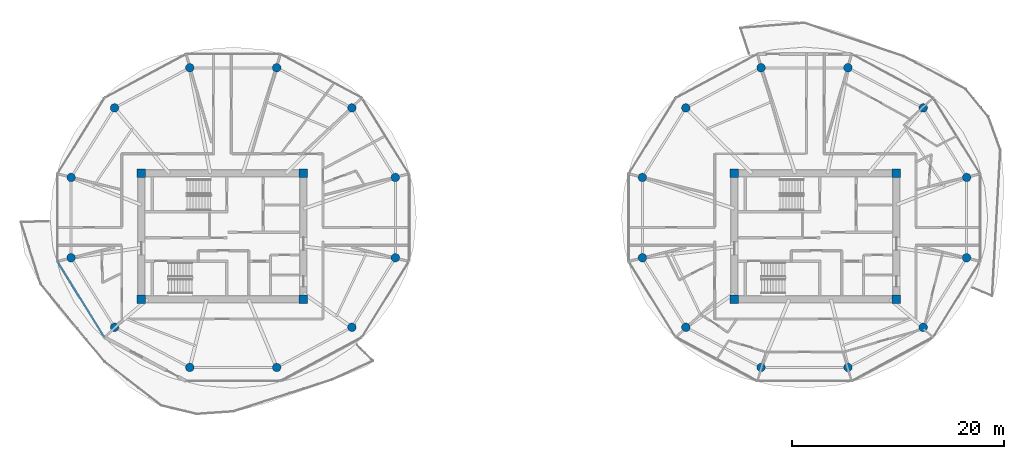
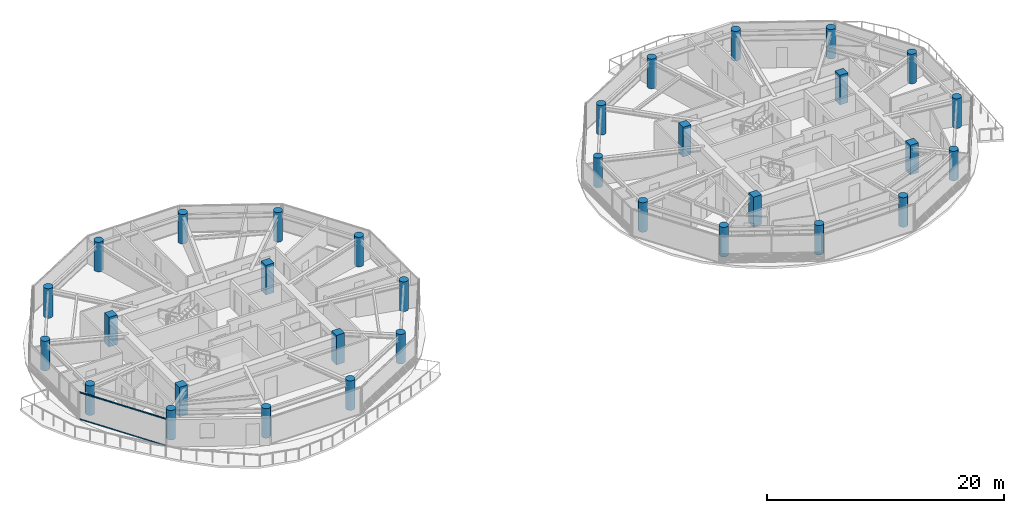
# One storey, part 1 of 22: 32 columns, 2 members, 1 element without a shape of its own.
"""IFC4 building model written with IfcOpenShell, lengths in metres."""

from ifc_helpers import new_model, si_unit, direction, frame, origin, origin_2d, place, context, subcontext, project, spatial, rectangle, circle, extrude, source, transform, mapped, material, layer, layer_set, material_profile, profile_set, type_object, type_shapes, element, aggregate, save


model = new_model("IFC4")

# Units and contexts
model_context = context("Model", 3, precision=1e-05, world=origin(), true_north=direction((0.0, 1.0)))
body_context = subcontext(model_context, "Body", "Model", "MODEL_VIEW")
ifc_project = project(units=[si_unit("LENGTHUNIT", "METRE"), si_unit("AREAUNIT", "SQUARE_METRE"), si_unit("VOLUMEUNIT", "CUBIC_METRE"), si_unit("PLANEANGLEUNIT", "RADIAN"), si_unit("MASSUNIT", "GRAM", prefix="KILO")], contexts=[model_context])

# Site, building, storey
site_placement = place(None, origin())
site = spatial("IfcSite", under=ifc_project, at=site_placement, CompositionType="ELEMENT")
building_placement = place(site_placement, origin())
building = spatial("IfcBuilding", under=site, at=building_placement, Name="Norrkilde Senior Care Towers", CompositionType="ELEMENT")
storey_placement = place(building_placement, frame((0.0, 0.0, 170.89990234375)))
storey = spatial("IfcBuildingStorey", under=building, at=storey_placement, Name="L53", CompositionType="ELEMENT", Elevation=170.89990234375)

# Columns
ifc_material_1 = material(Name="Concrete C60/75", Category="concrete")
ifc_material_profile_1 = material_profile(ifc_material_1, rectangle(XDim=0.800048828125, YDim=0.800048828125, at=origin_2d()), Name="RC COL 800x800")
ifc_profile_set_1 = profile_set([ifc_material_profile_1], Name="Concrete C60/75")
column_type_1 = type_object("IfcColumnType", Name="Column Core Corner Z3-Z4 800", PredefinedType="COLUMN", material=ifc_profile_set_1)
shared_shape_1 = source(origin(), body_context, "Body", "SweptSolid", [
    extrude(rectangle(XDim=0.800048828125, YDim=0.800048828125, at=origin_2d()), origin(), (0.0, 0.0, 1.0), 3.050048828125),
])
type_shapes(column_type_1, [shared_shape_1])
for number, where, z_axis, x_axis, name in (
    (1, (-35.64990234375, -5.949951171875, 0.0), (0.0, 0.0, 1.0), (1.0, 0.0, 0.0), "L53 Core W Corner Column 1"),
    (2, (-20.35009765625, -5.949951171875, 0.0), (0.0, 0.0, 1.0), (1.0, 0.0, 0.0), "L53 Core W Corner Column 2"),
    (3, (-20.35009765625, 5.949951171875, 0.0), (0.0, 0.0, 1.0), (1.0, 0.0, 0.0), "L53 Core W Corner Column 3"),
    (4, (-35.64990234375, 5.949951171875, 0.0), (0.0, 0.0, 1.0), (1.0, 0.0, 0.0), "L53 Core W Corner Column 4"),
    (5, (20.35009765625, -5.949951171875, 0.0), (0.0, 0.0, 1.0), (1.0, 0.0, 0.0), "L53 Core E Corner Column 1"),
    (6, (35.64990234375, -5.949951171875, 0.0), (0.0, 0.0, 1.0), (1.0, 0.0, 0.0), "L53 Core E Corner Column 2"),
    (7, (35.64990234375, 5.949951171875, 0.0), (0.0, 0.0, 1.0), (1.0, 0.0, 0.0), "L53 Core E Corner Column 3"),
    (8, (20.35009765625, 5.949951171875, 0.0), (0.0, 0.0, 1.0), (1.0, 0.0, 0.0), "L53 Core E Corner Column 4"),
):
    element("IfcColumn", number, at=place(storey_placement, frame(where, z_axis=z_axis, x_axis=x_axis)), inside=storey, type_object=column_type_1, Name=name, PredefinedType="COLUMN", context=body_context, shape_type="MappedRepresentation", body=[
        mapped(shared_shape_1, transform((0.0, 0.0, 0.0), x_axis=(1.0, 0.0, 0.0), y_axis=(0.0, 1.0, 0.0), z_axis=(0.0, 0.0, 1.0), scale=1.0)),
    ])
ifc_material_2 = material(Name="Concrete C50/60", Category="concrete")
ifc_material_profile_2 = material_profile(ifc_material_2, circle(Radius=0.39990234375, at=origin_2d()), Name="RC CIR 800")
ifc_profile_set_2 = profile_set([ifc_material_profile_2], Name="Concrete C50/60")
column_type_2 = type_object("IfcColumnType", Name="Column Perimeter Z3 800", PredefinedType="COLUMN", material=ifc_profile_set_2)
shared_shape_2 = source(origin(), body_context, "Body", "SweptSolid", [
    extrude(circle(Radius=0.39990234375, at=origin_2d()), origin(), (0.0, 0.0, 1.0), 3.050048828125),
])
type_shapes(column_type_2, [shared_shape_2])
for number, where, z_axis, x_axis, name in (
    (9, (-11.6650390625, 5.567138671875, 0.0), (0.0, 0.0, 1.0), (1.0, 0.0, 0.0), "L53 Drum W Perimeter Column 01"),
    (10, (-15.767333984375, 12.134521484375, 0.0), (0.0, 0.0, 1.0), (1.0, 0.0, 0.0), "L53 Drum W Perimeter Column 02"),
    (11, (-22.872802734375, 15.92626953125, 0.0), (0.0, 0.0, 1.0), (1.0, 0.0, 0.0), "L53 Drum W Perimeter Column 03"),
    (12, (-31.077392578125, 15.92626953125, 0.0), (0.0, 0.0, 1.0), (1.0, 0.0, 0.0), "L53 Drum W Perimeter Column 04"),
    (13, (-38.1826171875, 12.134521484375, 0.0), (0.0, 0.0, 1.0), (1.0, 0.0, 0.0), "L53 Drum W Perimeter Column 05"),
    (14, (-42.284912109375, 5.567138671875, 0.0), (0.0, 0.0, 1.0), (1.0, 0.0, 0.0), "L53 Drum W Perimeter Column 06"),
    (15, (-42.284912109375, -2.016357421875, 0.0), (0.0, 0.0, 1.0), (1.0, 0.0, 0.0), "L53 Drum W Perimeter Column 07"),
    (16, (-38.1826171875, -8.583740234375, 0.0), (0.0, 0.0, 1.0), (1.0, 0.0, 0.0), "L53 Drum W Perimeter Column 08"),
    (17, (-31.077392578125, -12.37548828125, 0.0), (0.0, 0.0, 1.0), (1.0, 0.0, 0.0), "L53 Drum W Perimeter Column 09"),
    (18, (-22.872802734375, -12.37548828125, 0.0), (0.0, 0.0, 1.0), (1.0, 0.0, 0.0), "L53 Drum W Perimeter Column 10"),
    (19, (-15.767333984375, -8.583740234375, 0.0), (0.0, 0.0, 1.0), (1.0, 0.0, 0.0), "L53 Drum W Perimeter Column 11"),
    (20, (-11.6650390625, -2.016357421875, 0.0), (0.0, 0.0, 1.0), (1.0, 0.0, 0.0), "L53 Drum W Perimeter Column 12"),
    (21, (42.284912109375, 5.567138671875, 0.0), (0.0, 0.0, 1.0), (1.0, 0.0, 0.0), "L53 Drum E Perimeter Column 01"),
    (22, (38.1826171875, 12.134521484375, 0.0), (0.0, 0.0, 1.0), (1.0, 0.0, 0.0), "L53 Drum E Perimeter Column 02"),
    (23, (31.077392578125, 15.92626953125, 0.0), (0.0, 0.0, 1.0), (1.0, 0.0, 0.0), "L53 Drum E Perimeter Column 03"),
    (24, (22.872802734375, 15.92626953125, 0.0), (0.0, 0.0, 1.0), (1.0, 0.0, 0.0), "L53 Drum E Perimeter Column 04"),
    (25, (15.767333984375, 12.134521484375, 0.0), (0.0, 0.0, 1.0), (1.0, 0.0, 0.0), "L53 Drum E Perimeter Column 05"),
    (26, (11.6650390625, 5.567138671875, 0.0), (0.0, 0.0, 1.0), (1.0, 0.0, 0.0), "L53 Drum E Perimeter Column 06"),
    (27, (11.6650390625, -2.016357421875, 0.0), (0.0, 0.0, 1.0), (1.0, 0.0, 0.0), "L53 Drum E Perimeter Column 07"),
    (28, (15.767333984375, -8.583740234375, 0.0), (0.0, 0.0, 1.0), (1.0, 0.0, 0.0), "L53 Drum E Perimeter Column 08"),
    (29, (22.872802734375, -12.37548828125, 0.0), (0.0, 0.0, 1.0), (1.0, 0.0, 0.0), "L53 Drum E Perimeter Column 09"),
    (30, (31.077392578125, -12.37548828125, 0.0), (0.0, 0.0, 1.0), (1.0, 0.0, 0.0), "L53 Drum E Perimeter Column 10"),
    (31, (38.1826171875, -8.583740234375, 0.0), (0.0, 0.0, 1.0), (1.0, 0.0, 0.0), "L53 Drum E Perimeter Column 11"),
    (32, (42.284912109375, -2.016357421875, 0.0), (0.0, 0.0, 1.0), (1.0, 0.0, 0.0), "L53 Drum E Perimeter Column 12"),
):
    element("IfcColumn", number, at=place(storey_placement, frame(where, z_axis=z_axis, x_axis=x_axis)), inside=storey, type_object=column_type_2, Name=name, PredefinedType="COLUMN", context=body_context, shape_type="MappedRepresentation", body=[
        mapped(shared_shape_2, transform((0.0, 0.0, 0.0), x_axis=(1.0, 0.0, 0.0), y_axis=(0.0, 1.0, 0.0), z_axis=(0.0, 0.0, 1.0), scale=1.0)),
    ])

# Curtain wall, members
ifc_material_3 = material(Name="Triple Low-E Insulated Glazing", Category="glass")
ifc_layer = layer(ifc_material_3, 0.18994140625)
ifc_layer_set = layer_set([ifc_layer], Name="Triple Low-E Insulated Glazing")
curtain_wall_type = type_object("IfcCurtainWallType", Name="CW4 Zone 3 Senior Residence Curtain Wall", PredefinedType="NOTDEFINED", material=ifc_layer_set)
curtain_wall_placement = place(storey_placement, origin())
curtain_wall = element("IfcCurtainWall", 33, at=curtain_wall_placement, inside=storey, type_object=curtain_wall_type, Name="L53 Drum W Curtain Wall 06", PredefinedType="NOTDEFINED")
ifc_material_4 = material(Name="Anodised Aluminium", Category="aluminium")
ifc_material_profile_3 = material_profile(ifc_material_4, rectangle(XDim=0.06005859375, YDim=0.1201171875, at=origin_2d()), Name="ALU TRAN 60x120")
ifc_profile_set_3 = profile_set([ifc_material_profile_3], Name="Anodised Aluminium")
member_type = type_object("IfcMemberType", Name="Curtain Wall Transom Typical 60x120", PredefinedType="USERDEFINED", material=ifc_profile_set_3)
shared_shape_3 = source(origin(), body_context, "Body", "SweptSolid", [
    extrude(rectangle(XDim=0.06005859375, YDim=0.1201171875, at=origin_2d()), origin(), (0.0, 0.0, 1.0), 8.301513671875),
])
type_shapes(member_type, [shared_shape_3])
member_1_placement = place(storey_placement, frame((-39.157470703125, -9.468994140625, 0.030029296875), z_axis=(-0.527368718394, 0.849636531029, 0.0), x_axis=(-0.849636531029, -0.527368718394, 0.0)))
member_1 = element("IfcMember", 34, at=member_1_placement, type_object=member_type, Name="CW-4 transom 1.1", ObjectType="TRANSOM", PredefinedType="USERDEFINED", context=body_context, shape_type="MappedRepresentation", body=[
    mapped(shared_shape_3, transform((0.0, 0.0, 0.0), x_axis=(1.0, 0.0, 0.0), y_axis=(0.0, 1.0, 0.0), z_axis=(0.0, 0.0, 1.0), scale=1.0)),
])
member_2_placement = place(storey_placement, frame((-39.157470703125, -9.468994140625, 2.780029296875), z_axis=(-0.527368718394, 0.849636531029, 0.0), x_axis=(-0.849636531029, -0.527368718394, 0.0)))
member_2 = element("IfcMember", 35, at=member_2_placement, type_object=member_type, Name="CW-4 transom 1.2", ObjectType="TRANSOM", PredefinedType="USERDEFINED", context=body_context, shape_type="MappedRepresentation", body=[
    mapped(shared_shape_3, transform((0.0, 0.0, 0.0), x_axis=(1.0, 0.0, 0.0), y_axis=(0.0, 1.0, 0.0), z_axis=(0.0, 0.0, 1.0), scale=1.0)),
])
aggregate(curtain_wall, [member_1, member_2])

save(model, "model.ifc")
